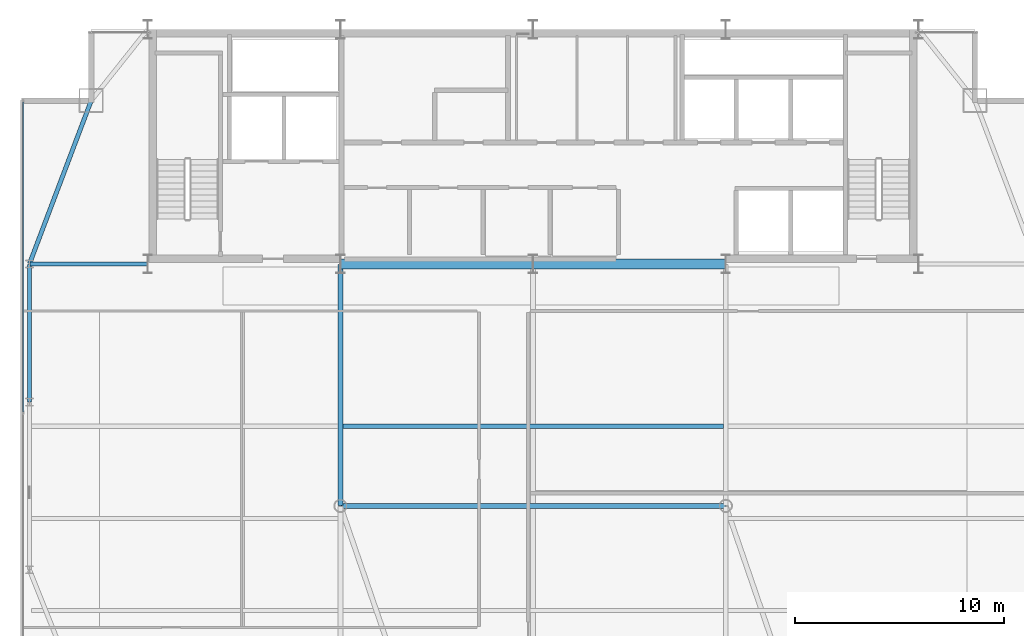
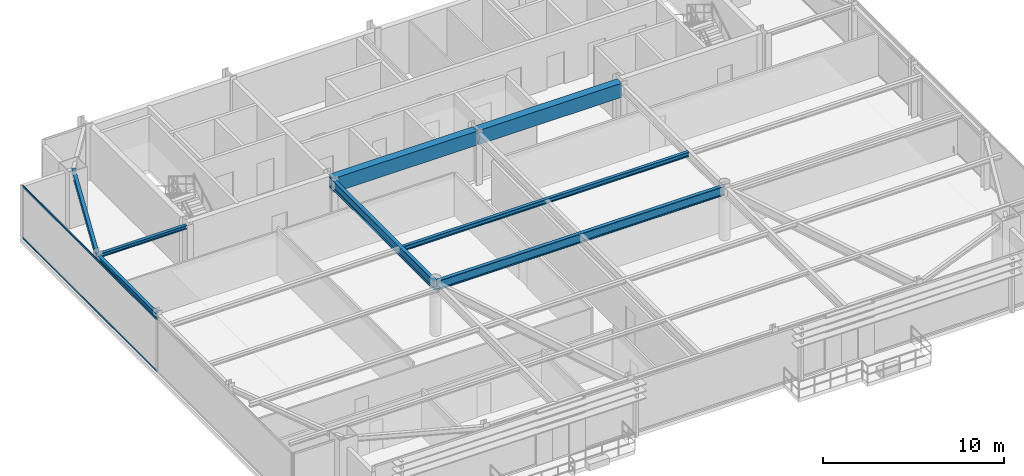
# One storey, part 11 of 30: 8 beams, 2 members, 1 element without a shape of its own.
"""IFC4 building model written with IfcOpenShell, lengths in metres."""

from ifc_helpers import new_model, si_unit, direction, frame, origin, origin_2d, place, context, subcontext, project, spatial, rectangle, hollow_rectangle, i_section, extrude, source, transform, mapped, material, layer, layer_set, material_profile, profile_set, type_object, type_shapes, element, aggregate, save


model = new_model("IFC4")

# Units and contexts
model_context = context("Model", 3, precision=1e-05, world=origin(), true_north=direction((0.0, 1.0)))
body_context = subcontext(model_context, "Body", "Model", "MODEL_VIEW")
ifc_project = project(units=[si_unit("LENGTHUNIT", "METRE"), si_unit("AREAUNIT", "SQUARE_METRE"), si_unit("VOLUMEUNIT", "CUBIC_METRE"), si_unit("PLANEANGLEUNIT", "RADIAN"), si_unit("MASSUNIT", "GRAM", prefix="KILO")], contexts=[model_context])

# Site, building, storey
site_placement = place(None, origin())
site = spatial("IfcSite", under=ifc_project, at=site_placement, CompositionType="ELEMENT")
building_placement = place(site_placement, origin())
building = spatial("IfcBuilding", under=site, at=building_placement, Name="Varnel Quay Broadcast Tower", CompositionType="ELEMENT")
storey_placement = place(building_placement, frame((0.0, 0.0, 222.60009765625)))
storey = spatial("IfcBuildingStorey", under=building, at=storey_placement, Name="L55", CompositionType="ELEMENT", Elevation=222.60009765625)

# Beams
ifc_material_1 = material(Name="Concrete CSA A23.3 C50/60", Category="concrete")
ifc_material_profile_1 = material_profile(ifc_material_1, rectangle(XDim=0.5, YDim=0.949951171875, at=origin_2d()), Name="RC500X950")
ifc_profile_set_1 = profile_set([ifc_material_profile_1], Name="Concrete CSA A23.3 C50/60")
beam_type_1 = type_object("IfcBeamType", Name="Beam_RC500X950", PredefinedType="BEAM", material=ifc_profile_set_1)
shared_shape_1 = source(origin(), body_context, "Body", "SweptSolid", [
    extrude(rectangle(XDim=0.5, YDim=0.949951171875, at=origin_2d()), origin(), (0.0, 0.0, 1.0), 9.159912109375),
])
type_shapes(beam_type_1, [shared_shape_1])
for number, where, z_axis, x_axis, name in (
    (1, (24.820068359375, 35.60009765625, 3.074951171875), (1.0, 0.0, 0.0), (0.0, 1.0, 0.0), "L55 Core Coupling Beam W"),
    (2, (34.02001953125, 35.60009765625, 3.074951171875), (1.0, 0.0, 0.0), (0.0, 1.0, 0.0), "L55 Core Coupling Beam E"),
):
    element("IfcBeam", number, at=place(storey_placement, frame(where, z_axis=z_axis, x_axis=x_axis)), inside=storey, type_object=beam_type_1, Name=name, PredefinedType="BEAM", context=body_context, shape_type="MappedRepresentation", body=[
        mapped(shared_shape_1, transform((0.0, 0.0, 0.0), x_axis=(1.0, 0.0, 0.0), y_axis=(0.0, 1.0, 0.0), z_axis=(0.0, 0.0, 1.0), scale=1.0)),
    ])
ifc_material_2 = material(Name="Structural Steel CSA G40.21 350W", Category="steel")
ifc_material_profile_2 = material_profile(ifc_material_2, i_section(OverallWidth=0.205078125, OverallDepth=0.35400390625, WebThickness=0.009521484375, FlangeThickness=0.016845703125, FilletRadius=0.012939453125, at=origin_2d()), Name="W360X79")
ifc_profile_set_2 = profile_set([ifc_material_profile_2], Name="Structural Steel CSA G40.21 350W")
beam_type_2 = type_object("IfcBeamType", Name="Beam_W360X79", PredefinedType="SPANDREL", material=ifc_profile_set_2)
shared_shape_2 = source(origin(), body_context, "Body", "SweptSolid", [
    extrude(i_section(OverallWidth=0.205078125, OverallDepth=0.35400390625, WebThickness=0.009521484375, FlangeThickness=0.016845703125, FilletRadius=0.012939453125, at=origin_2d()), origin(), (0.0, 0.0, 1.0), 6.56005859375),
])
beam_1_placement = place(storey_placement, frame((9.949951171875, 29.02001953125, 3.372802734375), z_axis=(0.0, 1.0, 0.0), x_axis=(-1.0, 0.0, 0.0)))
element("IfcBeam", 3, at=beam_1_placement, inside=storey, type_object=beam_type_2, Name="L55 West Spandrel TC-W2-TC-W3", PredefinedType="SPANDREL", context=body_context, shape_type="MappedRepresentation", body=[
    mapped(shared_shape_2, transform((0.0, 0.0, 0.0), x_axis=(1.0, 0.0, 0.0), y_axis=(0.0, 1.0, 0.0), z_axis=(0.0, 0.0, 1.0), scale=1.0)),
])
shared_shape_3 = source(origin(), body_context, "Body", "SweptSolid", [
    extrude(i_section(OverallWidth=0.205078125, OverallDepth=0.35400390625, WebThickness=0.009521484375, FlangeThickness=0.016845703125, FilletRadius=0.012939453125, at=origin_2d()), origin(), (0.0, 0.0, 1.0), 8.29931640625),
])
type_shapes(beam_type_2, [shared_shape_2, shared_shape_3])
beam_2_placement = place(storey_placement, frame((9.95703125, 35.61865234375, 3.372802734375), z_axis=(0.353739782058, 0.935343876117, 0.0), x_axis=(-0.935343876117, 0.353739782058, 0.0)))
element("IfcBeam", 4, at=beam_2_placement, inside=storey, type_object=beam_type_2, Name="L55 West Spandrel TC-W3-MC-NW", PredefinedType="SPANDREL", context=body_context, shape_type="MappedRepresentation", body=[
    mapped(shared_shape_3, transform((0.0, 0.0, 0.0), x_axis=(1.0, 0.0, 0.0), y_axis=(0.0, 1.0, 0.0), z_axis=(0.0, 0.0, 1.0), scale=1.0)),
])
ifc_material_profile_3 = material_profile(ifc_material_2, i_section(OverallWidth=0.22998046875, OverallDepth=0.616943359375, WebThickness=0.01318359375, FlangeThickness=0.022216796875, FilletRadius=0.01611328125, at=origin_2d()), Name="W610X140")
ifc_profile_set_3 = profile_set([ifc_material_profile_3], Name="Structural Steel CSA G40.21 350W")
beam_type_3 = type_object("IfcBeamType", Name="Girder_W610X140", PredefinedType="BEAM", material=ifc_profile_set_3)
shared_shape_4 = source(origin(), body_context, "Body", "SweptSolid", [
    extrude(i_section(OverallWidth=0.22998046875, OverallDepth=0.616943359375, WebThickness=0.01318359375, FlangeThickness=0.022216796875, FilletRadius=0.01611328125, at=origin_2d()), origin(), (0.0, 0.0, 1.0), 11.510009765625),
])
beam_3_placement = place(storey_placement, frame((24.800048828125, 24.070068359375, 3.241455078125), z_axis=(0.0, 1.0, 0.0), x_axis=(-1.0, 0.0, 0.0)))
element("IfcBeam", 5, at=beam_3_placement, inside=storey, type_object=beam_type_3, Name="L55 Primary Girder IC-01-CC-S2", PredefinedType="BEAM", context=body_context, shape_type="MappedRepresentation", body=[
    mapped(shared_shape_4, transform((0.0, 0.0, 0.0), x_axis=(1.0, 0.0, 0.0), y_axis=(0.0, 1.0, 0.0), z_axis=(0.0, 0.0, 1.0), scale=1.0)),
])
shared_shape_5 = source(origin(), body_context, "Body", "SweptSolid", [
    extrude(i_section(OverallWidth=0.22998046875, OverallDepth=0.616943359375, WebThickness=0.01318359375, FlangeThickness=0.022216796875, FilletRadius=0.01611328125, at=origin_2d()), origin(), (0.0, 0.0, 1.0), 18.35986328125),
])
type_shapes(beam_type_3, [shared_shape_4, shared_shape_5])
beam_4_placement = place(storey_placement, frame((24.820068359375, 24.050048828125, 3.241455078125), z_axis=(1.0, 0.0, 0.0), x_axis=(0.0, 1.0, 0.0)))
element("IfcBeam", 6, at=beam_4_placement, inside=storey, type_object=beam_type_3, Name="L55 Interior Spine Girder", PredefinedType="BEAM", context=body_context, shape_type="MappedRepresentation", body=[
    mapped(shared_shape_5, transform((0.0, 0.0, 0.0), x_axis=(1.0, 0.0, 0.0), y_axis=(0.0, 1.0, 0.0), z_axis=(0.0, 0.0, 1.0), scale=1.0)),
])
ifc_material_profile_4 = material_profile(ifc_material_2, i_section(OverallWidth=0.201904296875, OverallDepth=0.2470703125, WebThickness=0.00732421875, FlangeThickness=0.010986328125, FilletRadius=0.010986328125, at=origin_2d()), Name="W250X49")
ifc_profile_set_4 = profile_set([ifc_material_profile_4], Name="Structural Steel CSA G40.21 350W")
beam_type_4 = type_object("IfcBeamType", Name="Beam_W250X49", PredefinedType="JOIST", material=ifc_profile_set_4)
shared_shape_6 = source(origin(), body_context, "Body", "SweptSolid", [
    extrude(i_section(OverallWidth=0.201904296875, OverallDepth=0.2470703125, WebThickness=0.00732421875, FlangeThickness=0.010986328125, FilletRadius=0.010986328125, at=origin_2d()), origin(), (0.0, 0.0, 1.0), 5.610107421875),
])
type_shapes(beam_type_4, [shared_shape_6])
beam_5_placement = place(storey_placement, frame((9.969970703125, 35.60009765625, 3.426513671875), z_axis=(1.0, 0.0, 0.0), x_axis=(0.0, 1.0, 0.0)))
element("IfcBeam", 7, at=beam_5_placement, inside=storey, type_object=beam_type_4, Name="L55 West Core Tie Joist", PredefinedType="JOIST", context=body_context, shape_type="MappedRepresentation", body=[
    mapped(shared_shape_6, transform((0.0, 0.0, 0.0), x_axis=(1.0, 0.0, 0.0), y_axis=(0.0, 1.0, 0.0), z_axis=(0.0, 0.0, 1.0), scale=1.0)),
])
ifc_material_profile_5 = material_profile(ifc_material_2, i_section(OverallWidth=0.202880859375, OverallDepth=0.302978515625, WebThickness=0.007568359375, FlangeThickness=0.01318359375, FilletRadius=0.011962890625, at=origin_2d()), Name="W310X60")
ifc_profile_set_5 = profile_set([ifc_material_profile_5], Name="Structural Steel CSA G40.21 350W")
beam_type_5 = type_object("IfcBeamType", Name="Beam_W310X60", PredefinedType="JOIST", material=ifc_profile_set_5)
shared_shape_7 = source(origin(), body_context, "Body", "SweptSolid", [
    extrude(i_section(OverallWidth=0.202880859375, OverallDepth=0.302978515625, WebThickness=0.007568359375, FlangeThickness=0.01318359375, FilletRadius=0.011962890625, at=origin_2d()), origin(), (0.0, 0.0, 1.0), 18.18017578125),
])
type_shapes(beam_type_5, [shared_shape_7])
beam_6_placement = place(storey_placement, frame((24.909912109375, 27.85009765625, 3.3984375), z_axis=(1.0, 0.0, 0.0), x_axis=(0.0, 1.0, 0.0)))
element("IfcBeam", 8, at=beam_6_placement, inside=storey, type_object=beam_type_5, Name="L55 Central Floor Joist 4", PredefinedType="JOIST", context=body_context, shape_type="MappedRepresentation", body=[
    mapped(shared_shape_7, transform((0.0, 0.0, 0.0), x_axis=(1.0, 0.0, 0.0), y_axis=(0.0, 1.0, 0.0), z_axis=(0.0, 0.0, 1.0), scale=1.0)),
])

# Curtain wall, members
ifc_material_3 = material(Name="Anodised Bronze Aluminium 6063-T6", Category="aluminium")
ifc_layer = layer(ifc_material_3, 0.18994140625, Name="Anodised Bronze Aluminium 6063-T6")
ifc_layer_set = layer_set([ifc_layer], Name="Anodised Bronze Aluminium 6063-T6")
curtain_wall_type = type_object("IfcCurtainWallType", Name="CW_UpperTower", PredefinedType="NOTDEFINED", material=ifc_layer_set)
curtain_wall_placement = place(storey_placement, origin())
curtain_wall = element("IfcCurtainWall", 9, at=curtain_wall_placement, inside=storey, type_object=curtain_wall_type, Name="L55 West Unitised Curtain Wall", PredefinedType="NOTDEFINED")
ifc_material_profile_6 = material_profile(ifc_material_3, hollow_rectangle(XDim=0.06005859375, YDim=0.125, WallThickness=0.0029296875, at=origin_2d()), Name="ALU60X125X3")
ifc_profile_set_6 = profile_set([ifc_material_profile_6], Name="Anodised Bronze Aluminium 6063-T6")
member_type = type_object("IfcMemberType", Name="Tran_CWS-03", PredefinedType="USERDEFINED", material=ifc_profile_set_6)
shared_shape_8 = source(origin(), body_context, "Body", "SweptSolid", [
    extrude(hollow_rectangle(XDim=0.06005859375, YDim=0.125, WallThickness=0.0029296875, at=origin_2d()), origin(), (0.0, 0.0, 1.0), 14.802490234375),
])
type_shapes(member_type, [shared_shape_8])
member_1_placement = place(storey_placement, frame((9.64990234375, 28.532470703125, 0.02978515625), z_axis=(0.0, 1.0, 0.0), x_axis=(-1.0, 0.0, 0.0)))
member_1 = element("IfcMember", 10, at=member_1_placement, type_object=member_type, Name="CWS-03 transom 2.1", ObjectType="TRANSOM", PredefinedType="USERDEFINED", context=body_context, shape_type="MappedRepresentation", body=[
    mapped(shared_shape_8, transform((0.0, 0.0, 0.0), x_axis=(1.0, 0.0, 0.0), y_axis=(0.0, 1.0, 0.0), z_axis=(0.0, 0.0, 1.0), scale=1.0)),
])
member_2_placement = place(storey_placement, frame((9.64990234375, 28.532470703125, 3.52001953125), z_axis=(0.0, 1.0, 0.0), x_axis=(-1.0, 0.0, 0.0)))
member_2 = element("IfcMember", 11, at=member_2_placement, type_object=member_type, Name="CWS-03 transom 2.2", ObjectType="TRANSOM", PredefinedType="USERDEFINED", context=body_context, shape_type="MappedRepresentation", body=[
    mapped(shared_shape_8, transform((0.0, 0.0, 0.0), x_axis=(1.0, 0.0, 0.0), y_axis=(0.0, 1.0, 0.0), z_axis=(0.0, 0.0, 1.0), scale=1.0)),
])
aggregate(curtain_wall, [member_1, member_2])

save(model, "model.ifc")
